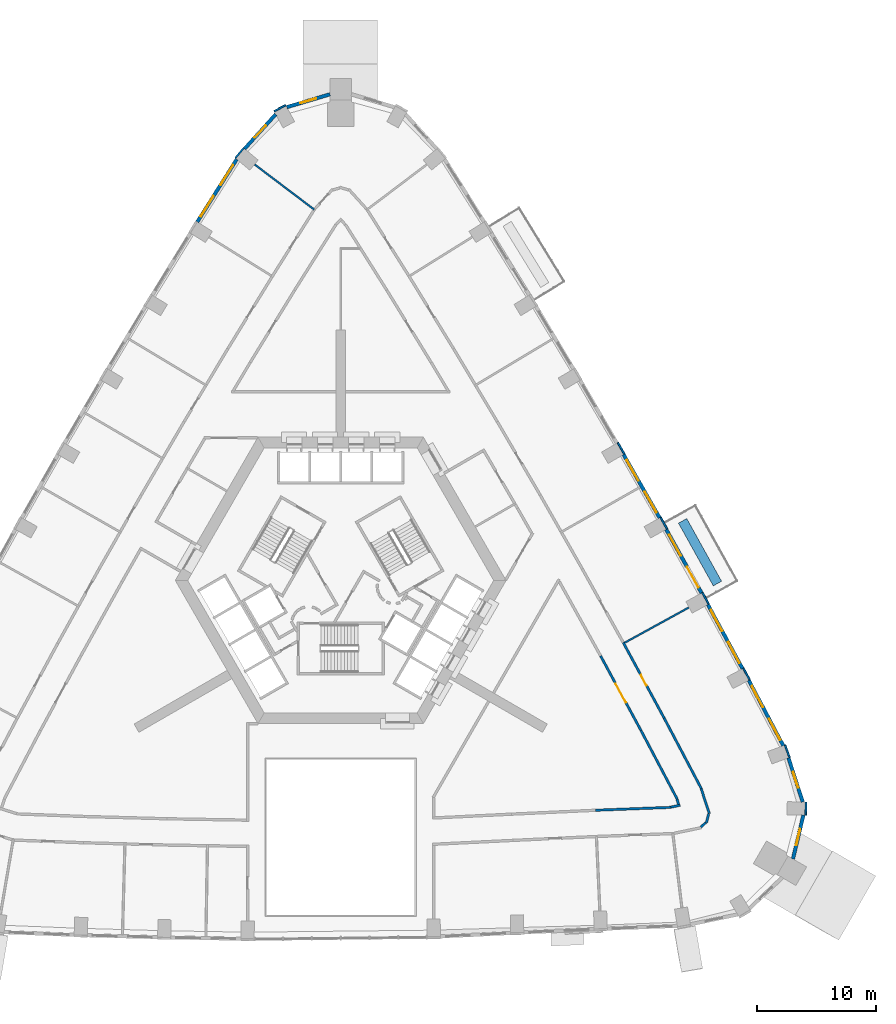
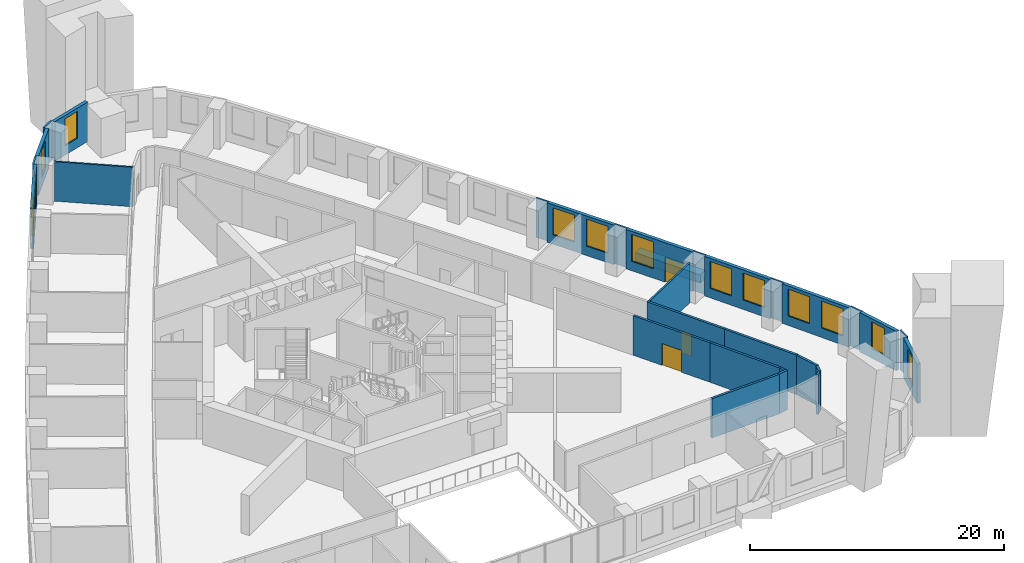
# One storey, part 11 of 15: 30 walls, 13 windows, 3 doors, 16 openings.
"""IFC4 building model written with IfcOpenShell, lengths in metres."""

from ifc_helpers import new_model, si_unit, direction, frame, frame_2d, origin, place, context, subcontext, project, spatial, rectangle, extrude, material, layer, layer_set, type_object, element, fill, save


model = new_model("IFC4")

# Units and contexts
model_context = context("Model", 3, precision=1e-05, world=origin(), true_north=direction((0.0, 1.0)))
body_context = subcontext(model_context, "Body", "Model", "MODEL_VIEW")
ifc_project = project(units=[si_unit("LENGTHUNIT", "METRE"), si_unit("AREAUNIT", "SQUARE_METRE"), si_unit("VOLUMEUNIT", "CUBIC_METRE"), si_unit("PLANEANGLEUNIT", "RADIAN"), si_unit("MASSUNIT", "GRAM", prefix="KILO")], contexts=[model_context])

# Site, building, storey
site_placement = place(None, origin())
site = spatial("IfcSite", under=ifc_project, at=site_placement, CompositionType="ELEMENT")
building_placement = place(site_placement, origin())
building = spatial("IfcBuilding", under=site, at=building_placement, Name="Entoto Arch Interchange Tower", CompositionType="ELEMENT")
storey_placement = place(building_placement, frame((0.0, 0.0, 111.800048828125)))
storey = spatial("IfcBuildingStorey", under=building, at=storey_placement, Name="L24", CompositionType="ELEMENT", Elevation=111.800048828125)

# Walls
ifc_material_1 = material(Name="Gypsum board partition on steel studs", Category="steel")
ifc_layer_1 = layer(ifc_material_1, 0.14990234375)
ifc_layer_set_1 = layer_set([ifc_layer_1], Name="Gypsum board partition on steel studs")
wall_type_1 = type_object("IfcWallType", Name="PARTITION 150", PredefinedType="PARTITIONING", material=ifc_layer_set_1)
wall_1_placement = place(storey_placement, frame((23.7890625, -2.716064453125, 0.0), z_axis=(0.0, 0.0, 1.0), x_axis=(0.876716532234, 0.481007403382, 0.0)))
element("IfcWall", 1, at=wall_1_placement, inside=storey, type_object=wall_type_1, Name="wall:L24:p121", PredefinedType="PARTITIONING", context=body_context, shape_type="SweptSolid", body=[
    extrude(rectangle(XDim=6.130859375, YDim=0.14990234375, at=frame_2d((3.0654296875, 0.0))), origin(), (0.0, 0.0, 1.0), 3.800048828125),
])
wall_2_placement = place(storey_placement, frame((-2.2119140625, 33.56494140625, 0.0), z_axis=(0.0, 0.0, 1.0), x_axis=(-0.797488074979, 0.603334708322, 0.0)))
element("IfcWall", 2, at=wall_2_placement, inside=storey, type_object=wall_type_1, Name="wall:L24:p126", PredefinedType="PARTITIONING", context=body_context, shape_type="SweptSolid", body=[
    extrude(rectangle(XDim=6.257080078125, YDim=0.14990234375, at=frame_2d((3.12841796875, 0.0))), origin(), (0.0, 0.0, 1.0), 3.800048828125),
])
ifc_layer_2 = layer(ifc_material_1, 0.199951171875)
ifc_layer_set_2 = layer_set([ifc_layer_2], Name="Gypsum board partition on steel studs")
wall_type_2 = type_object("IfcWallType", Name="PARTITION 200", PredefinedType="PARTITIONING", material=ifc_layer_set_2)
wall_3_placement = place(storey_placement, frame((21.360107421875, -16.75, 0.0), z_axis=(0.0, 0.0, 1.0), x_axis=(0.999267915235, 0.038257464404, 0.0)))
element("IfcWall", 3, at=wall_3_placement, inside=storey, type_object=wall_type_2, Name="wall:L24:p020", PredefinedType="PARTITIONING", context=body_context, shape_type="SweptSolid", body=[
    extrude(rectangle(XDim=6.298583984375, YDim=0.199951171875, at=frame_2d((3.1494140625, 0.0))), origin(), (0.0, 0.0, 1.0), 3.800048828125),
])
wall_4_placement = place(storey_placement, frame((27.652099609375, -16.491943359375, 0.0), z_axis=(0.0, 0.0, 1.0), x_axis=(0.979299848672, 0.202414936184, 0.0)))
element("IfcWall", 4, at=wall_4_placement, inside=storey, type_object=wall_type_2, Name="wall:L24:p021", PredefinedType="PARTITIONING", context=body_context, shape_type="SweptSolid", body=[
    extrude(rectangle(XDim=0.804443359375, YDim=0.199951171875, at=frame_2d((0.40234375, 0.0))), origin(), (0.0, 0.0, 1.0), 3.800048828125),
])
wall_5_placement = place(storey_placement, frame((28.31103515625, -16.25390625, 0.0), z_axis=(0.0, 0.0, 1.0), x_axis=(-0.3080060081, 0.951384411778, 0.0)))
element("IfcWall", 5, at=wall_5_placement, inside=storey, type_object=wall_type_2, Name="wall:L24:p022", PredefinedType="PARTITIONING", context=body_context, shape_type="SweptSolid", body=[
    extrude(rectangle(XDim=0.455078125, YDim=0.199951171875, at=frame_2d((0.2275390625, 0.0))), origin(), (0.0, 0.0, 1.0), 3.800048828125),
])
wall_6_placement = place(storey_placement, frame((28.18701171875, -15.81494140625, 0.0), z_axis=(0.0, 0.0, 1.0), x_axis=(-0.466663976618, 0.884434696813, 0.0)))
element("IfcWall", 6, at=wall_6_placement, inside=storey, type_object=wall_type_2, Name="wall:L24:p023", PredefinedType="PARTITIONING", context=body_context, shape_type="SweptSolid", body=[
    extrude(rectangle(XDim=6.501220703125, YDim=0.199951171875, at=frame_2d((3.25048828125, 0.0))), origin(), (0.0, 0.0, 1.0), 3.800048828125),
])

# Wall, opening, door
wall_7_placement = place(storey_placement, frame((25.153076171875, -10.06494140625, 0.0), z_axis=(0.0, 0.0, 1.0), x_axis=(-0.476124717613, 0.87937776483, 0.0)))
wall_7 = element("IfcWall", 7, at=wall_7_placement, inside=storey, type_object=wall_type_2, Name="wall:L24:p024", PredefinedType="PARTITIONING", context=body_context, shape_type="SweptSolid", body=[
    extrude(rectangle(XDim=7.099365234375, YDim=0.199951171875, at=frame_2d((3.5498046875, 0.0))), origin(), (0.0, 0.0, 1.0), 3.800048828125),
])
opening_1_placement = place(wall_7_placement, frame((2.64990234375, 0.0, 0.0)))
opening_1 = element("IfcOpeningElement", 8, at=opening_1_placement, cuts=wall_7, Name="Opening L24-D20", PredefinedType="OPENING", context=body_context, shape_type="SweptSolid", body=[
    extrude(rectangle(XDim=1.800048828125, YDim=2.10009765625, at=frame_2d((0.89990234375, 1.050048828125))), frame((0.0, 0.10986328125, 0.0), z_axis=(0.0, -1.0, 0.0), x_axis=(1.0, 0.0, 0.0)), (0.0, 0.0, 1.0), 0.219970703125),
])
ifc_material_2 = material(Name="Timber door leaf in Steel S235 frame", Category="steel")
door_type_1 = type_object("IfcDoorType", Name="DOOR DD-18 1800x2100", OperationType="DOUBLE_DOOR_SINGLE_SWING", PredefinedType="DOOR", material=ifc_material_2)
door_1_placement = place(opening_1_placement, origin())
door_1 = element("IfcDoor", 9, at=door_1_placement, inside=storey, type_object=door_type_1, Name="door:L24:20", OperationType="DOUBLE_DOOR_SINGLE_SWING", OverallHeight=2.10009765625, OverallWidth=1.800048828125, PredefinedType="DOOR", context=body_context, shape_type="SweptSolid", body=[
    extrude(rectangle(XDim=1.800048828125, YDim=2.10009765625, at=frame_2d((0.89990234375, 1.050048828125))), frame((0.0, 0.02490234375, 0.0), z_axis=(0.0, -1.0, 0.0), x_axis=(1.0, 0.0, 0.0)), (0.0, 0.0, 1.0), 0.050048828125),
])
fill(opening_1, door_1)

wall_8_placement = place(storey_placement, frame((23.666015625, -2.697998046875, 0.0), z_axis=(0.0, 0.0, 1.0), x_axis=(0.476195741963, -0.879339306148, 0.0)))
wall_8 = element("IfcWall", 10, at=wall_8_placement, inside=storey, type_object=wall_type_2, Name="wall:L24:p039", PredefinedType="PARTITIONING", context=body_context, shape_type="SweptSolid", body=[
    extrude(rectangle(XDim=7.19873046875, YDim=0.199951171875, at=frame_2d((3.599365234375, 0.0))), origin(), (0.0, 0.0, 1.0), 3.800048828125),
])
opening_2_placement = place(wall_8_placement, frame((3.09912109375, 0.0, 0.0)))
opening_2 = element("IfcOpeningElement", 11, at=opening_2_placement, cuts=wall_8, Name="Opening L24-D03", PredefinedType="OPENING", context=body_context, shape_type="SweptSolid", body=[
    extrude(rectangle(XDim=1.0, YDim=2.10009765625, at=frame_2d((0.5, 1.050048828125))), frame((0.0, 0.10986328125, 0.0), z_axis=(0.0, -1.0, 0.0), x_axis=(1.0, 0.0, 0.0)), (0.0, 0.0, 1.0), 0.219970703125),
])
door_type_2 = type_object("IfcDoorType", Name="DOOR DS-10 1000x2100", OperationType="SINGLE_SWING_LEFT", PredefinedType="DOOR", material=ifc_material_2)
door_2_placement = place(opening_2_placement, origin())
door_2 = element("IfcDoor", 12, at=door_2_placement, inside=storey, type_object=door_type_2, Name="door:L24:03", OperationType="SINGLE_SWING_RIGHT", OverallHeight=2.10009765625, OverallWidth=1.0, PredefinedType="DOOR", context=body_context, shape_type="SweptSolid", body=[
    extrude(rectangle(XDim=1.0, YDim=2.10009765625, at=frame_2d((0.5, 1.050048828125))), frame((0.0, 0.02490234375, 0.0), z_axis=(0.0, -1.0, 0.0), x_axis=(1.0, 0.0, 0.0)), (0.0, 0.0, 1.0), 0.050048828125),
])
fill(opening_2, door_2)

# Walls
wall_9_placement = place(storey_placement, frame((27.093994140625, -9.028076171875, 0.0), z_axis=(0.0, 0.0, 1.0), x_axis=(0.466559961767, -0.884489571491, 0.0)))
element("IfcWall", 13, at=wall_9_placement, inside=storey, type_object=wall_type_2, Name="wall:L24:p040", PredefinedType="PARTITIONING", context=body_context, shape_type="SweptSolid", body=[
    extrude(rectangle(XDim=6.7021484375, YDim=0.199951171875, at=frame_2d((3.35107421875, 0.0))), origin(), (0.0, 0.0, 1.0), 3.800048828125),
])
wall_10_placement = place(storey_placement, frame((30.205078125, -14.9619140625, 0.0), z_axis=(0.0, 0.0, 1.0), x_axis=(0.308592319841, -0.951194396606, 0.0)))
element("IfcWall", 14, at=wall_10_placement, inside=storey, type_object=wall_type_2, Name="wall:L24:p041", PredefinedType="PARTITIONING", context=body_context, shape_type="SweptSolid", body=[
    extrude(rectangle(XDim=2.180419921875, YDim=0.199951171875, at=frame_2d((1.09033203125, 0.0))), origin(), (0.0, 0.0, 1.0), 3.800048828125),
])
wall_11_placement = place(storey_placement, frame((30.822998046875, -17.0380859375, 0.0), z_axis=(0.0, 0.0, 1.0), x_axis=(-0.2319010674, -0.972739376677, 0.0)))
element("IfcWall", 15, at=wall_11_placement, inside=storey, type_object=wall_type_2, Name="wall:L24:p042", PredefinedType="PARTITIONING", context=body_context, shape_type="SweptSolid", body=[
    extrude(rectangle(XDim=0.784423828125, YDim=0.199951171875, at=frame_2d((0.39208984375, 0.0))), origin(), (0.0, 0.0, 1.0), 3.800048828125),
])
wall_12_placement = place(storey_placement, frame((30.592041015625, -17.77294921875, 0.0), z_axis=(0.0, 0.0, 1.0), x_axis=(-0.727217805738, -0.68640677664, 0.0)))
element("IfcWall", 16, at=wall_12_placement, inside=storey, type_object=wall_type_2, Name="wall:L24:p043", PredefinedType="PARTITIONING", context=body_context, shape_type="SweptSolid", body=[
    extrude(rectangle(XDim=0.562255859375, YDim=0.199951171875, at=frame_2d((0.28125, 0.0))), origin(), (0.0, 0.0, 1.0), 3.800048828125),
])
ifc_material_3 = material(Name="Board-marked precast concrete C50/60", Category="concrete")
ifc_layer_3 = layer(ifc_material_3, 0.800048828125)
ifc_layer_set_3 = layer_set([ifc_layer_3], Name="Board-marked precast concrete C50/60")
wall_type_3 = type_object("IfcWallType", Name="PLANTER RC 800 Olea europaea subsp. cuspidata", PredefinedType="STANDARD", material=ifc_layer_set_3)
wall_13_placement = place(storey_placement, frame((31.56005859375, 2.240966796875, 0.0), z_axis=(0.0, 0.0, 1.0), x_axis=(-0.485794718415, 0.874072932632, 0.0)))
element("IfcWall", 17, at=wall_13_placement, inside=storey, type_object=wall_type_3, Name="Planter NE-03 L24", PredefinedType="STANDARD", context=body_context, shape_type="SweptSolid", body=[
    extrude(rectangle(XDim=6.008544921875, YDim=0.800048828125, at=frame_2d((3.00439453125, 0.0))), origin(), (0.0, 0.0, 1.0), 0.800048828125),
])

# Wall, opening, window
ifc_material_4 = material(Name="Welded tuff (ignimbrite) cladding, warm buff", Category="masonry")
ifc_layer_4 = layer(ifc_material_4, 0.300048828125)
ifc_layer_set_4 = layer_set([ifc_layer_4], Name="Welded tuff (ignimbrite) cladding, warm buff")
wall_type_4 = type_object("IfcWallType", Name="STONE INFILL WALL 300", PredefinedType="STANDARD", material=ifc_layer_set_4)
wall_14_placement = place(storey_placement, frame((37.884033203125, -20.8349609375, 0.0), z_axis=(0.0, 0.0, 1.0), x_axis=(0.232654276823, 0.972559503309, 0.0)))
wall_14 = element("IfcWall", 18, at=wall_14_placement, inside=storey, type_object=wall_type_4, Name="Facade wall SE-03 L24", PredefinedType="STANDARD", context=body_context, shape_type="SweptSolid", body=[
    extrude(rectangle(XDim=3.77783203125, YDim=0.300048828125, at=frame_2d((1.888916015625, 0.0))), origin(), (0.0, 0.0, 1.0), 3.800048828125),
])
opening_3_placement = place(wall_14_placement, frame((1.18896484375, 0.0, 0.89990234375)))
opening_3 = element("IfcOpeningElement", 19, at=opening_3_placement, cuts=wall_14, Name="Opening WO-B", PredefinedType="OPENING", context=body_context, shape_type="SweptSolid", body=[
    extrude(rectangle(XDim=1.39990234375, YDim=2.60009765625, at=frame_2d((0.699951171875, 1.300048828125))), frame((0.0, 0.16015625, 0.0), z_axis=(0.0, -1.0, 0.0), x_axis=(1.0, 0.0, 0.0)), (0.0, 0.0, 1.0), 0.320068359375),
])
ifc_material_5 = material(Name="Clear glass, low-e double glazed", Category="glass")
window_type_1 = type_object("IfcWindowType", Name="WINDOW WO-B 1400x2600", PartitioningType="DOUBLE_PANEL_VERTICAL", PredefinedType="WINDOW", material=ifc_material_5)
window_1_placement = place(opening_3_placement, origin())
window_1 = element("IfcWindow", 20, at=window_1_placement, inside=storey, type_object=window_type_1, Name="Window WO-B SE-03 L24", OverallHeight=2.60009765625, OverallWidth=1.39990234375, PartitioningType="SINGLE_PANEL", PredefinedType="WINDOW", context=body_context, shape_type="SweptSolid", body=[
    extrude(rectangle(XDim=1.39990234375, YDim=2.60009765625, at=frame_2d((0.699951171875, 1.300048828125))), frame((0.0, 0.030029296875, 0.0), z_axis=(0.0, -1.0, 0.0), x_axis=(1.0, 0.0, 0.0)), (0.0, 0.0, 1.0), 0.06005859375),
])
fill(opening_3, window_1)

wall_15_placement = place(storey_placement, frame((38.708984375, -16.06103515625, 0.0), z_axis=(0.0, 0.0, 1.0), x_axis=(-0.308484760821, 0.951229284842, 0.0)))
wall_15 = element("IfcWall", 21, at=wall_15_placement, inside=storey, type_object=wall_type_4, Name="Facade wall SE-04 L24", PredefinedType="STANDARD", context=body_context, shape_type="SweptSolid", body=[
    extrude(rectangle(XDim=3.89306640625, YDim=0.300048828125, at=frame_2d((1.946533203125, 0.0))), origin(), (0.0, 0.0, 1.0), 3.800048828125),
])
opening_4_placement = place(wall_15_placement, frame((1.24609375, 0.0, 0.89990234375)))
opening_4 = element("IfcOpeningElement", 22, at=opening_4_placement, cuts=wall_15, Name="Opening WO-B", PredefinedType="OPENING", context=body_context, shape_type="SweptSolid", body=[
    extrude(rectangle(XDim=1.39990234375, YDim=2.60009765625, at=frame_2d((0.699951171875, 1.300048828125))), frame((0.0, 0.16015625, 0.0), z_axis=(0.0, -1.0, 0.0), x_axis=(1.0, 0.0, 0.0)), (0.0, 0.0, 1.0), 0.320068359375),
])
window_2_placement = place(opening_4_placement, origin())
window_2 = element("IfcWindow", 23, at=window_2_placement, inside=storey, type_object=window_type_1, Name="Window WO-B SE-04 L24", OverallHeight=2.60009765625, OverallWidth=1.39990234375, PartitioningType="SINGLE_PANEL", PredefinedType="WINDOW", context=body_context, shape_type="SweptSolid", body=[
    extrude(rectangle(XDim=1.39990234375, YDim=2.60009765625, at=frame_2d((0.699951171875, 1.300048828125))), frame((0.0, 0.030029296875, 0.0), z_axis=(0.0, -1.0, 0.0), x_axis=(1.0, 0.0, 0.0)), (0.0, 0.0, 1.0), 0.06005859375),
])
fill(opening_4, window_2)

# Wall, openings, windows
wall_16_placement = place(storey_placement, frame((37.0791015625, -11.345947265625, 0.0), z_axis=(0.0, 0.0, 1.0), x_axis=(-0.466599547852, 0.88446868907, 0.0)))
wall_16 = element("IfcWall", 24, at=wall_16_placement, inside=storey, type_object=wall_type_4, Name="Facade wall NE-01 L24", PredefinedType="STANDARD", context=body_context, shape_type="SweptSolid", body=[
    extrude(rectangle(XDim=6.202392578125, YDim=0.300048828125, at=frame_2d((3.10107421875, 0.0))), origin(), (0.0, 0.0, 1.0), 3.800048828125),
])
opening_5_placement = place(wall_16_placement, frame((0.551025390625, 0.0, 0.89990234375)))
opening_5 = element("IfcOpeningElement", 25, at=opening_5_placement, cuts=wall_16, Name="Opening WO-C", PredefinedType="OPENING", context=body_context, shape_type="SweptSolid", body=[
    extrude(rectangle(XDim=2.0, YDim=2.60009765625, at=frame_2d((1.0, 1.300048828125))), frame((0.0, 0.16015625, 0.0), z_axis=(0.0, -1.0, 0.0), x_axis=(1.0, 0.0, 0.0)), (0.0, 0.0, 1.0), 0.320068359375),
])
opening_6_placement = place(wall_16_placement, frame((3.652099609375, 0.0, 0.89990234375)))
opening_6 = element("IfcOpeningElement", 26, at=opening_6_placement, cuts=wall_16, Name="Opening WO-C", PredefinedType="OPENING", context=body_context, shape_type="SweptSolid", body=[
    extrude(rectangle(XDim=2.0, YDim=2.60009765625, at=frame_2d((1.0, 1.300048828125))), frame((0.0, 0.16015625, 0.0), z_axis=(0.0, -1.0, 0.0), x_axis=(1.0, 0.0, 0.0)), (0.0, 0.0, 1.0), 0.320068359375),
])
window_type_2 = type_object("IfcWindowType", Name="WINDOW WO-C 2000x2600", PartitioningType="DOUBLE_PANEL_VERTICAL", PredefinedType="WINDOW", material=ifc_material_5)
window_3_placement = place(opening_5_placement, origin())
window_3 = element("IfcWindow", 27, at=window_3_placement, inside=storey, type_object=window_type_2, Name="Window WO-C NE-01 L24", OverallHeight=2.60009765625, OverallWidth=2.0, PartitioningType="SINGLE_PANEL", PredefinedType="WINDOW", context=body_context, shape_type="SweptSolid", body=[
    extrude(rectangle(XDim=2.0, YDim=2.60009765625, at=frame_2d((1.0, 1.300048828125))), frame((0.0, 0.030029296875, 0.0), z_axis=(0.0, -1.0, 0.0), x_axis=(1.0, 0.0, 0.0)), (0.0, 0.0, 1.0), 0.06005859375),
])
fill(opening_5, window_3)
window_4_placement = place(opening_6_placement, origin())
window_4 = element("IfcWindow", 28, at=window_4_placement, inside=storey, type_object=window_type_2, Name="Window WO-C NE-01 L24", OverallHeight=2.60009765625, OverallWidth=2.0, PartitioningType="SINGLE_PANEL", PredefinedType="WINDOW", context=body_context, shape_type="SweptSolid", body=[
    extrude(rectangle(XDim=2.0, YDim=2.60009765625, at=frame_2d((1.0, 1.300048828125))), frame((0.0, 0.030029296875, 0.0), z_axis=(0.0, -1.0, 0.0), x_axis=(1.0, 0.0, 0.0)), (0.0, 0.0, 1.0), 0.06005859375),
])
fill(opening_6, window_4)

wall_17_placement = place(storey_placement, frame((33.6669921875, -4.89208984375, 0.0), z_axis=(0.0, 0.0, 1.0), x_axis=(-0.476097776444, 0.879392351152, 0.0)))
wall_17 = element("IfcWall", 29, at=wall_17_placement, inside=storey, type_object=wall_type_4, Name="Facade wall NE-02 L24", PredefinedType="STANDARD", context=body_context, shape_type="SweptSolid", body=[
    extrude(rectangle(XDim=6.10986328125, YDim=0.300048828125, at=frame_2d((3.054931640625, 0.0))), origin(), (0.0, 0.0, 1.0), 3.800048828125),
])
opening_7_placement = place(wall_17_placement, frame((0.527099609375, 0.0, 0.89990234375)))
opening_7 = element("IfcOpeningElement", 30, at=opening_7_placement, cuts=wall_17, Name="Opening WO-C", PredefinedType="OPENING", context=body_context, shape_type="SweptSolid", body=[
    extrude(rectangle(XDim=2.0, YDim=2.60009765625, at=frame_2d((1.0, 1.300048828125))), frame((0.0, 0.16015625, 0.0), z_axis=(0.0, -1.0, 0.0), x_axis=(1.0, 0.0, 0.0)), (0.0, 0.0, 1.0), 0.320068359375),
])
opening_8_placement = place(wall_17_placement, frame((3.58203125, 0.0, 0.89990234375)))
opening_8 = element("IfcOpeningElement", 31, at=opening_8_placement, cuts=wall_17, Name="Opening WO-C", PredefinedType="OPENING", context=body_context, shape_type="SweptSolid", body=[
    extrude(rectangle(XDim=2.0, YDim=2.60009765625, at=frame_2d((1.0, 1.300048828125))), frame((0.0, 0.16015625, 0.0), z_axis=(0.0, -1.0, 0.0), x_axis=(1.0, 0.0, 0.0)), (0.0, 0.0, 1.0), 0.320068359375),
])
window_5_placement = place(opening_7_placement, origin())
window_5 = element("IfcWindow", 32, at=window_5_placement, inside=storey, type_object=window_type_2, Name="Window WO-C NE-02 L24", OverallHeight=2.60009765625, OverallWidth=2.0, PartitioningType="SINGLE_PANEL", PredefinedType="WINDOW", context=body_context, shape_type="SweptSolid", body=[
    extrude(rectangle(XDim=2.0, YDim=2.60009765625, at=frame_2d((1.0, 1.300048828125))), frame((0.0, 0.030029296875, 0.0), z_axis=(0.0, -1.0, 0.0), x_axis=(1.0, 0.0, 0.0)), (0.0, 0.0, 1.0), 0.06005859375),
])
fill(opening_7, window_5)
window_6_placement = place(opening_8_placement, origin())
window_6 = element("IfcWindow", 33, at=window_6_placement, inside=storey, type_object=window_type_2, Name="Window WO-C NE-02 L24", OverallHeight=2.60009765625, OverallWidth=2.0, PartitioningType="SINGLE_PANEL", PredefinedType="WINDOW", context=body_context, shape_type="SweptSolid", body=[
    extrude(rectangle(XDim=2.0, YDim=2.60009765625, at=frame_2d((1.0, 1.300048828125))), frame((0.0, 0.030029296875, 0.0), z_axis=(0.0, -1.0, 0.0), x_axis=(1.0, 0.0, 0.0)), (0.0, 0.0, 1.0), 0.06005859375),
])
fill(opening_8, window_6)

# Wall, openings, door, window
wall_18_placement = place(storey_placement, frame((30.22998046875, 1.444091796875, 0.0), z_axis=(0.0, 0.0, 1.0), x_axis=(-0.485822751649, 0.874057351654, 0.0)))
wall_18 = element("IfcWall", 34, at=wall_18_placement, inside=storey, type_object=wall_type_4, Name="Facade wall NE-03 L24", PredefinedType="STANDARD", context=body_context, shape_type="SweptSolid", body=[
    extrude(rectangle(XDim=6.109375, YDim=0.300048828125, at=frame_2d((3.0546875, 0.0))), origin(), (0.0, 0.0, 1.0), 3.800048828125),
])
opening_9_placement = place(wall_18_placement, frame((0.527099609375, 0.0, 0.0)))
opening_9 = element("IfcOpeningElement", 35, at=opening_9_placement, cuts=wall_18, Name="Opening DB-NE-03-L24", PredefinedType="OPENING", context=body_context, shape_type="SweptSolid", body=[
    extrude(rectangle(XDim=2.0, YDim=2.39990234375, at=frame_2d((1.0, 1.199951171875))), frame((0.0, 0.16015625, 0.0), z_axis=(0.0, -1.0, 0.0), x_axis=(1.0, 0.0, 0.0)), (0.0, 0.0, 1.0), 0.320068359375),
])
opening_10_placement = place(wall_18_placement, frame((3.58203125, 0.0, 0.89990234375)))
opening_10 = element("IfcOpeningElement", 36, at=opening_10_placement, cuts=wall_18, Name="Opening WO-C", PredefinedType="OPENING", context=body_context, shape_type="SweptSolid", body=[
    extrude(rectangle(XDim=2.0, YDim=2.60009765625, at=frame_2d((1.0, 1.300048828125))), frame((0.0, 0.16015625, 0.0), z_axis=(0.0, -1.0, 0.0), x_axis=(1.0, 0.0, 0.0)), (0.0, 0.0, 1.0), 0.320068359375),
])
ifc_material_6 = material(Name="Aluminium and clear glass, anodised", Category="aluminium")
door_type_3 = type_object("IfcDoorType", Name="BALCONY DOOR DB 2000x2400", OperationType="SLIDING_TO_LEFT", PredefinedType="DOOR", material=ifc_material_6)
door_3_placement = place(opening_9_placement, origin())
door_3 = element("IfcDoor", 37, at=door_3_placement, inside=storey, type_object=door_type_3, Name="Balcony door NE-03 L24", OperationType="SLIDING_TO_LEFT", OverallHeight=2.39990234375, OverallWidth=2.0, PredefinedType="DOOR", context=body_context, shape_type="SweptSolid", body=[
    extrude(rectangle(XDim=2.0, YDim=2.39990234375, at=frame_2d((1.0, 1.199951171875))), frame((0.0, 0.02490234375, 0.0), z_axis=(0.0, -1.0, 0.0), x_axis=(1.0, 0.0, 0.0)), (0.0, 0.0, 1.0), 0.050048828125),
])
fill(opening_9, door_3)
window_7_placement = place(opening_10_placement, origin())
window_7 = element("IfcWindow", 38, at=window_7_placement, inside=storey, type_object=window_type_2, Name="Window WO-C NE-03 L24", OverallHeight=2.60009765625, OverallWidth=2.0, PartitioningType="SINGLE_PANEL", PredefinedType="WINDOW", context=body_context, shape_type="SweptSolid", body=[
    extrude(rectangle(XDim=2.0, YDim=2.60009765625, at=frame_2d((1.0, 1.300048828125))), frame((0.0, 0.030029296875, 0.0), z_axis=(0.0, -1.0, 0.0), x_axis=(1.0, 0.0, 0.0)), (0.0, 0.0, 1.0), 0.06005859375),
])
fill(opening_10, window_7)

# Wall, openings, windows
wall_19_placement = place(storey_placement, frame((26.722900390625, 7.739990234375, 0.0), z_axis=(0.0, 0.0, 1.0), x_axis=(-0.495114366991, 0.868827810098, 0.0)))
wall_19 = element("IfcWall", 39, at=wall_19_placement, inside=storey, type_object=wall_type_4, Name="Facade wall NE-04 L24", PredefinedType="STANDARD", context=body_context, shape_type="SweptSolid", body=[
    extrude(rectangle(XDim=6.109619140625, YDim=0.300048828125, at=frame_2d((3.0546875, 0.0))), origin(), (0.0, 0.0, 1.0), 3.800048828125),
])
opening_11_placement = place(wall_19_placement, frame((0.527099609375, 0.0, 0.89990234375)))
opening_11 = element("IfcOpeningElement", 40, at=opening_11_placement, cuts=wall_19, Name="Opening WO-C", PredefinedType="OPENING", context=body_context, shape_type="SweptSolid", body=[
    extrude(rectangle(XDim=2.0, YDim=2.60009765625, at=frame_2d((1.0, 1.300048828125))), frame((0.0, 0.16015625, 0.0), z_axis=(0.0, -1.0, 0.0), x_axis=(1.0, 0.0, 0.0)), (0.0, 0.0, 1.0), 0.320068359375),
])
opening_12_placement = place(wall_19_placement, frame((3.58203125, 0.0, 0.89990234375)))
opening_12 = element("IfcOpeningElement", 41, at=opening_12_placement, cuts=wall_19, Name="Opening WO-C", PredefinedType="OPENING", context=body_context, shape_type="SweptSolid", body=[
    extrude(rectangle(XDim=2.0, YDim=2.60009765625, at=frame_2d((1.0, 1.300048828125))), frame((0.0, 0.16015625, 0.0), z_axis=(0.0, -1.0, 0.0), x_axis=(1.0, 0.0, 0.0)), (0.0, 0.0, 1.0), 0.320068359375),
])
window_8_placement = place(opening_11_placement, origin())
window_8 = element("IfcWindow", 42, at=window_8_placement, inside=storey, type_object=window_type_2, Name="Window WO-C NE-04 L24", OverallHeight=2.60009765625, OverallWidth=2.0, PartitioningType="SINGLE_PANEL", PredefinedType="WINDOW", context=body_context, shape_type="SweptSolid", body=[
    extrude(rectangle(XDim=2.0, YDim=2.60009765625, at=frame_2d((1.0, 1.300048828125))), frame((0.0, 0.030029296875, 0.0), z_axis=(0.0, -1.0, 0.0), x_axis=(1.0, 0.0, 0.0)), (0.0, 0.0, 1.0), 0.06005859375),
])
fill(opening_11, window_8)
window_9_placement = place(opening_12_placement, origin())
window_9 = element("IfcWindow", 43, at=window_9_placement, inside=storey, type_object=window_type_2, Name="Window WO-C NE-04 L24", OverallHeight=2.60009765625, OverallWidth=2.0, PartitioningType="SINGLE_PANEL", PredefinedType="WINDOW", context=body_context, shape_type="SweptSolid", body=[
    extrude(rectangle(XDim=2.0, YDim=2.60009765625, at=frame_2d((1.0, 1.300048828125))), frame((0.0, 0.030029296875, 0.0), z_axis=(0.0, -1.0, 0.0), x_axis=(1.0, 0.0, 0.0)), (0.0, 0.0, 1.0), 0.06005859375),
])
fill(opening_12, window_9)

# Wall, opening, window
wall_20_placement = place(storey_placement, frame((-0.89892578125, 43.22509765625, 0.0), z_axis=(0.0, 0.0, 1.0), x_axis=(-0.958563070772, -0.284880394819, 0.0)))
wall_20 = element("IfcWall", 44, at=wall_20_placement, inside=storey, type_object=wall_type_4, Name="Facade wall N-03 L24", PredefinedType="STANDARD", context=body_context, shape_type="SweptSolid", body=[
    extrude(rectangle(XDim=3.777587890625, YDim=0.300048828125, at=frame_2d((1.888671875, 0.0))), origin(), (0.0, 0.0, 1.0), 3.800048828125),
])
opening_13_placement = place(wall_20_placement, frame((1.18896484375, 0.0, 0.89990234375)))
opening_13 = element("IfcOpeningElement", 45, at=opening_13_placement, cuts=wall_20, Name="Opening WO-B", PredefinedType="OPENING", context=body_context, shape_type="SweptSolid", body=[
    extrude(rectangle(XDim=1.39990234375, YDim=2.60009765625, at=frame_2d((0.699951171875, 1.300048828125))), frame((0.0, 0.16015625, 0.0), z_axis=(0.0, -1.0, 0.0), x_axis=(1.0, 0.0, 0.0)), (0.0, 0.0, 1.0), 0.320068359375),
])
window_10_placement = place(opening_13_placement, origin())
window_10 = element("IfcWindow", 46, at=window_10_placement, inside=storey, type_object=window_type_1, Name="Window WO-B N-03 L24", OverallHeight=2.60009765625, OverallWidth=1.39990234375, PartitioningType="SINGLE_PANEL", PredefinedType="WINDOW", context=body_context, shape_type="SweptSolid", body=[
    extrude(rectangle(XDim=1.39990234375, YDim=2.60009765625, at=frame_2d((0.699951171875, 1.300048828125))), frame((0.0, 0.030029296875, 0.0), z_axis=(0.0, -1.0, 0.0), x_axis=(1.0, 0.0, 0.0)), (0.0, 0.0, 1.0), 0.06005859375),
])
fill(opening_13, window_10)

wall_21_placement = place(storey_placement, frame((-5.445068359375, 41.552001953125, 0.0), z_axis=(0.0, 0.0, 1.0), x_axis=(-0.66966434159, -0.742663900834, 0.0)))
wall_21 = element("IfcWall", 47, at=wall_21_placement, inside=storey, type_object=wall_type_4, Name="Facade wall N-04 L24", PredefinedType="STANDARD", context=body_context, shape_type="SweptSolid", body=[
    extrude(rectangle(XDim=3.892822265625, YDim=0.300048828125, at=frame_2d((1.9462890625, 0.0))), origin(), (0.0, 0.0, 1.0), 3.800048828125),
])
opening_14_placement = place(wall_21_placement, frame((1.24609375, 0.0, 0.89990234375)))
opening_14 = element("IfcOpeningElement", 48, at=opening_14_placement, cuts=wall_21, Name="Opening WO-B", PredefinedType="OPENING", context=body_context, shape_type="SweptSolid", body=[
    extrude(rectangle(XDim=1.39990234375, YDim=2.60009765625, at=frame_2d((0.699951171875, 1.300048828125))), frame((0.0, 0.16015625, 0.0), z_axis=(0.0, -1.0, 0.0), x_axis=(1.0, 0.0, 0.0)), (0.0, 0.0, 1.0), 0.320068359375),
])
window_11_placement = place(opening_14_placement, origin())
window_11 = element("IfcWindow", 49, at=window_11_placement, inside=storey, type_object=window_type_1, Name="Window WO-B N-04 L24", OverallHeight=2.60009765625, OverallWidth=1.39990234375, PartitioningType="SINGLE_PANEL", PredefinedType="WINDOW", context=body_context, shape_type="SweptSolid", body=[
    extrude(rectangle(XDim=1.39990234375, YDim=2.60009765625, at=frame_2d((0.699951171875, 1.300048828125))), frame((0.0, 0.030029296875, 0.0), z_axis=(0.0, -1.0, 0.0), x_axis=(1.0, 0.0, 0.0)), (0.0, 0.0, 1.0), 0.06005859375),
])
fill(opening_14, window_11)

# Wall, openings, windows
wall_22_placement = place(storey_placement, frame((-8.714111328125, 37.783935546875, 0.0), z_axis=(0.0, 0.0, 1.0), x_axis=(-0.532699467907, -0.846304482377, 0.0)))
wall_22 = element("IfcWall", 50, at=wall_22_placement, inside=storey, type_object=wall_type_4, Name="Facade wall NW-01 L24", PredefinedType="STANDARD", context=body_context, shape_type="SweptSolid", body=[
    extrude(rectangle(XDim=6.202392578125, YDim=0.300048828125, at=frame_2d((3.10107421875, 0.0))), origin(), (0.0, 0.0, 1.0), 3.800048828125),
])
opening_15_placement = place(wall_22_placement, frame((0.551025390625, 0.0, 0.89990234375)))
opening_15 = element("IfcOpeningElement", 51, at=opening_15_placement, cuts=wall_22, Name="Opening WO-C", PredefinedType="OPENING", context=body_context, shape_type="SweptSolid", body=[
    extrude(rectangle(XDim=2.0, YDim=2.60009765625, at=frame_2d((1.0, 1.300048828125))), frame((0.0, 0.16015625, 0.0), z_axis=(0.0, -1.0, 0.0), x_axis=(1.0, 0.0, 0.0)), (0.0, 0.0, 1.0), 0.320068359375),
])
opening_16_placement = place(wall_22_placement, frame((3.652099609375, 0.0, 0.89990234375)))
opening_16 = element("IfcOpeningElement", 52, at=opening_16_placement, cuts=wall_22, Name="Opening WO-C", PredefinedType="OPENING", context=body_context, shape_type="SweptSolid", body=[
    extrude(rectangle(XDim=2.0, YDim=2.60009765625, at=frame_2d((1.0, 1.300048828125))), frame((0.0, 0.16015625, 0.0), z_axis=(0.0, -1.0, 0.0), x_axis=(1.0, 0.0, 0.0)), (0.0, 0.0, 1.0), 0.320068359375),
])
window_12_placement = place(opening_15_placement, origin())
window_12 = element("IfcWindow", 53, at=window_12_placement, inside=storey, type_object=window_type_2, Name="Window WO-C NW-01 L24", OverallHeight=2.60009765625, OverallWidth=2.0, PartitioningType="SINGLE_PANEL", PredefinedType="WINDOW", context=body_context, shape_type="SweptSolid", body=[
    extrude(rectangle(XDim=2.0, YDim=2.60009765625, at=frame_2d((1.0, 1.300048828125))), frame((0.0, 0.030029296875, 0.0), z_axis=(0.0, -1.0, 0.0), x_axis=(1.0, 0.0, 0.0)), (0.0, 0.0, 1.0), 0.06005859375),
])
fill(opening_15, window_12)
window_13_placement = place(opening_16_placement, origin())
window_13 = element("IfcWindow", 54, at=window_13_placement, inside=storey, type_object=window_type_2, Name="Window WO-C NW-01 L24", OverallHeight=2.60009765625, OverallWidth=2.0, PartitioningType="SINGLE_PANEL", PredefinedType="WINDOW", context=body_context, shape_type="SweptSolid", body=[
    extrude(rectangle(XDim=2.0, YDim=2.60009765625, at=frame_2d((1.0, 1.300048828125))), frame((0.0, 0.030029296875, 0.0), z_axis=(0.0, -1.0, 0.0), x_axis=(1.0, 0.0, 0.0)), (0.0, 0.0, 1.0), 0.06005859375),
])
fill(opening_16, window_13)

# Walls
ifc_layer_5 = layer(ifc_material_4, 0.14990234375)
ifc_layer_set_5 = layer_set([ifc_layer_5], Name="Welded tuff (ignimbrite) cladding, warm buff")
wall_type_5 = type_object("IfcWallType", Name="STONE PIER CLADDING 150", PredefinedType="STANDARD", material=ifc_layer_set_5)
wall_23_placement = place(storey_placement, frame((-4.613037109375, 42.322021484375, 0.0), z_axis=(0.0, 0.0, 1.0), x_axis=(-0.877463015547, -0.479644301902, 0.0)))
element("IfcWall", 55, at=wall_23_placement, inside=storey, type_object=wall_type_5, Name="Stone pier N3 L24", PredefinedType="STANDARD", context=body_context, shape_type="SweptSolid", body=[
    extrude(rectangle(XDim=1.10107421875, YDim=0.14990234375, at=frame_2d((0.550537109375, 0.0))), origin(), (0.0, 0.0, 1.0), 3.800048828125),
])
wall_24_placement = place(storey_placement, frame((37.60009765625, -12.324951171875, 0.0), z_axis=(0.0, 0.0, 1.0), x_axis=(-0.347205967468, 0.937788897436, 0.0)))
element("IfcWall", 56, at=wall_24_placement, inside=storey, type_object=wall_type_5, Name="Stone pier NE01 L24", PredefinedType="STANDARD", context=body_context, shape_type="SweptSolid", body=[
    extrude(rectangle(XDim=1.100341796875, YDim=0.14990234375, at=frame_2d((0.55029296875, 0.0))), origin(), (0.0, 0.0, 1.0), 3.800048828125),
])
wall_25_placement = place(storey_placement, frame((34.2529296875, -5.824951171875, 0.0), z_axis=(0.0, 0.0, 1.0), x_axis=(-0.46919310775, 0.883095593716, 0.0)))
element("IfcWall", 57, at=wall_25_placement, inside=storey, type_object=wall_type_5, Name="Stone pier NE02 L24", PredefinedType="STANDARD", context=body_context, shape_type="SweptSolid", body=[
    extrude(rectangle(XDim=1.099365234375, YDim=0.14990234375, at=frame_2d((0.5498046875, 0.0))), origin(), (0.0, 0.0, 1.0), 3.800048828125),
])
wall_26_placement = place(storey_placement, frame((30.825927734375, 0.51708984375, 0.0), z_axis=(0.0, 0.0, 1.0), x_axis=(-0.479566870346, 0.877505337229, 0.0)))
element("IfcWall", 58, at=wall_26_placement, inside=storey, type_object=wall_type_5, Name="Stone pier NE03 L24", PredefinedType="STANDARD", context=body_context, shape_type="SweptSolid", body=[
    extrude(rectangle(XDim=1.1005859375, YDim=0.14990234375, at=frame_2d((0.55029296875, 0.0))), origin(), (0.0, 0.0, 1.0), 3.800048828125),
])
wall_27_placement = place(storey_placement, frame((27.330078125, 6.821044921875, 0.0), z_axis=(0.0, 0.0, 1.0), x_axis=(-0.490008344094, 0.871717742574, 0.0)))
element("IfcWall", 59, at=wall_27_placement, inside=storey, type_object=wall_type_5, Name="Stone pier NE04 L24", PredefinedType="STANDARD", context=body_context, shape_type="SweptSolid", body=[
    extrude(rectangle(XDim=1.10009765625, YDim=0.14990234375, at=frame_2d((0.550048828125, 0.0))), origin(), (0.0, 0.0, 1.0), 3.800048828125),
])
wall_28_placement = place(storey_placement, frame((23.76611328125, 13.0859375, 0.0), z_axis=(0.0, 0.0, 1.0), x_axis=(-0.499837685251, 0.86611909597, 0.0)))
element("IfcWall", 60, at=wall_28_placement, inside=storey, type_object=wall_type_5, Name="Stone pier NE05 L24", PredefinedType="STANDARD", context=body_context, shape_type="SweptSolid", body=[
    extrude(rectangle(XDim=1.100341796875, YDim=0.14990234375, at=frame_2d((0.55029296875, 0.0))), origin(), (0.0, 0.0, 1.0), 3.800048828125),
])
wall_29_placement = place(storey_placement, frame((-8.1259765625, 38.72412109375, 0.0), z_axis=(0.0, 0.0, 1.0), x_axis=(-0.638435351024, -0.769675452748, 0.0)))
element("IfcWall", 61, at=wall_29_placement, inside=storey, type_object=wall_type_5, Name="Stone pier NW01 L24", PredefinedType="STANDARD", context=body_context, shape_type="SweptSolid", body=[
    extrude(rectangle(XDim=1.099365234375, YDim=0.14990234375, at=frame_2d((0.5498046875, 0.0))), origin(), (0.0, 0.0, 1.0), 3.800048828125),
])
wall_30_placement = place(storey_placement, frame((38.958984375, -17.166015625, 0.0), z_axis=(0.0, 0.0, 1.0), x_axis=(0.023739424163, 0.999718180159, 0.0)))
element("IfcWall", 62, at=wall_30_placement, inside=storey, type_object=wall_type_5, Name="Stone pier SE3 L24", PredefinedType="STANDARD", context=body_context, shape_type="SweptSolid", body=[
    extrude(rectangle(XDim=1.100341796875, YDim=0.14990234375, at=frame_2d((0.55029296875, 0.0))), origin(), (0.0, 0.0, 1.0), 3.800048828125),
])

save(model, "model.ifc")
